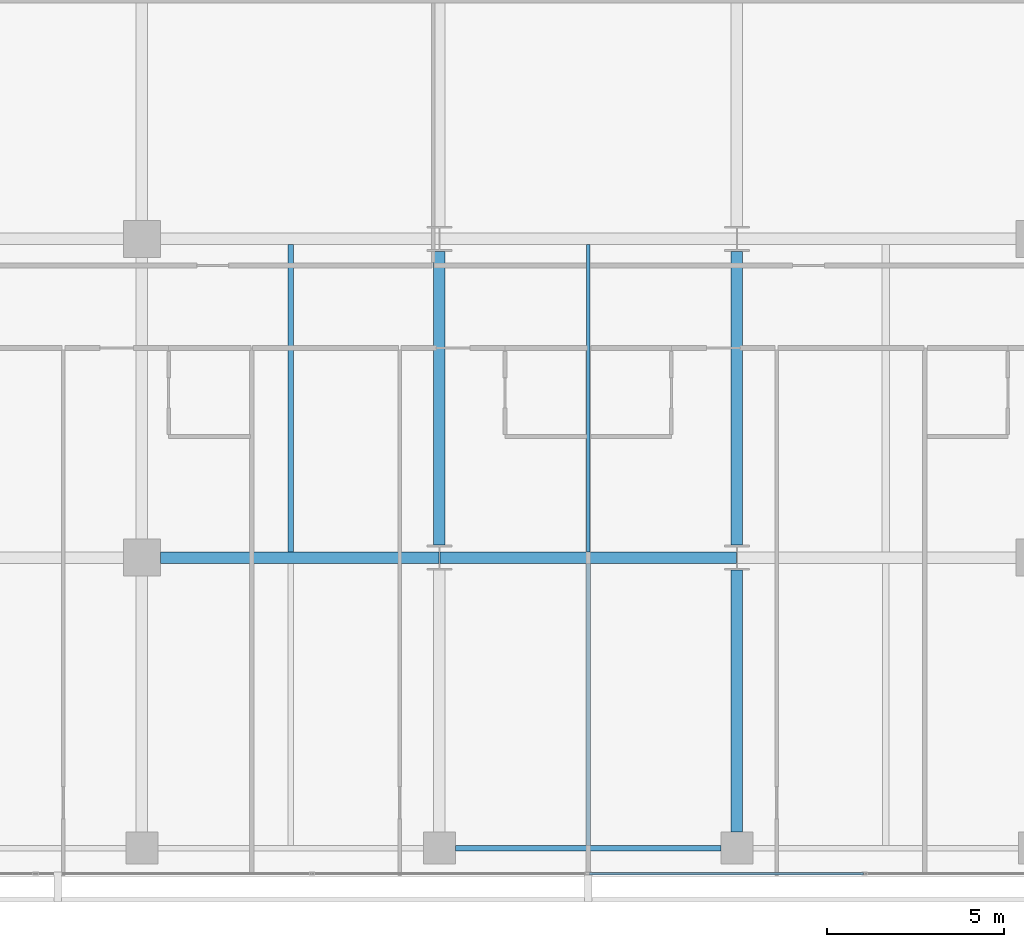
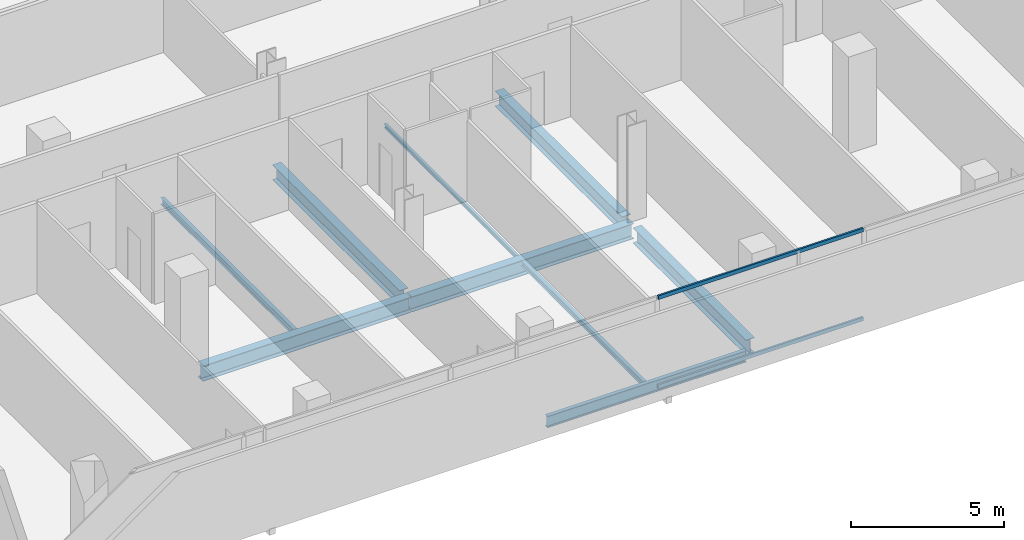
# One storey, part 9 of 40: 9 beams, 2 members, 1 element without a shape of its own.
"""IFC4 building model written with IfcOpenShell, lengths in metres."""

import ifcopenshell
import ifcopenshell.guid

model = None  # the IFC model being written
_history = None  # IfcOwnerHistory: only IFC2X3 demands one
_inside = {}  # id of a spatial element -> (the spatial element, [elements in it])
_under = {}  # id of a project, library or spatial element -> (it, [spatial elements below it])
_declared = {}  # id of a project -> (the project, [libraries it declares])
_typed = {}  # id of a type object -> (the type object, [elements of that type])
_made_of = {}  # id of a material, layer set ... -> (it, [elements and type objects made of it])


def new_model(schema):
    """Start an empty IFC model of exactly this schema.

    Asked for "IFC4X3", IfcOpenShell would pick the latest addendum, in which some entities
    have other attributes; the version numbers below select the first issue.
    IFC2X3 requires an IfcOwnerHistory on every rooted entity: one is made here for all.
    """
    global model, _history
    if schema == "IFC4X3":
        model = ifcopenshell.file(schema_version=(4, 3, 0, 0))
    else:
        model = ifcopenshell.file(schema=schema)
    _inside.clear()
    _under.clear()
    _declared.clear()
    _typed.clear()
    _made_of.clear()
    _history = None
    if model.schema == "IFC2X3":
        org = make("IfcOrganization", Name="unknown")
        user = make(
            "IfcPersonAndOrganization",
            ThePerson=make("IfcPerson", FamilyName="unknown"),
            TheOrganization=org,
        )
        app = make(
            "IfcApplication",
            ApplicationDeveloper=org,
            Version="unknown",
            ApplicationFullName="unknown",
            ApplicationIdentifier="unknown",
        )
        _history = make(
            "IfcOwnerHistory",
            OwningUser=user,
            OwningApplication=app,
            ChangeAction="ADDED",
            CreationDate=0,
        )
    return model


def make(cls, **values):
    """One entity of the class cls with the attributes given. An attribute that is None is left unset."""
    return model.create_entity(
        cls, **{name: value for name, value in values.items() if value is not None}
    )


def rooted(cls, **values):
    """An entity with a GlobalId (a new one), such as an element, a storey or a relation."""
    return make(cls, GlobalId=ifcopenshell.guid.new(), OwnerHistory=_history, **values)


def si_unit(unit_type, name, prefix=None):
    """IfcSIUnit, for example si_unit("LENGTHUNIT", "METRE", prefix="MILLI")."""
    return make("IfcSIUnit", UnitType=unit_type, Prefix=prefix, Name=name)


def assignment(units):
    """IfcUnitAssignment: the units of a project."""
    return None if units is None else make("IfcUnitAssignment", Units=units)


def point(xyz):
    """IfcCartesianPoint."""
    return None if xyz is None else make("IfcCartesianPoint", Coordinates=xyz)


def direction(xyz):
    """IfcDirection."""
    return None if xyz is None else make("IfcDirection", DirectionRatios=xyz)


def frame(location, z_axis=None, x_axis=None):
    """IfcAxis2Placement3D, a coordinate frame: its origin and axes. An axis left out is left unset."""
    return make(
        "IfcAxis2Placement3D",
        Location=point(location),
        Axis=direction(z_axis),
        RefDirection=direction(x_axis),
    )


def frame_2d(location, x_axis=None):
    """IfcAxis2Placement2D, a coordinate frame in the plane: its origin and x axis."""
    return make(
        "IfcAxis2Placement2D", Location=point(location), RefDirection=direction(x_axis)
    )


def origin():
    """The frame at (0, 0, 0) with its axes left unset."""
    return frame((0.0, 0.0, 0.0))


def origin_2d():
    """The frame at (0, 0) in the plane with its x axis left unset."""
    return frame_2d((0.0, 0.0))


def place(relative_to, where):
    """IfcLocalPlacement: puts the frame where relative to a parent placement (None: the world)."""
    return make(
        "IfcLocalPlacement", PlacementRelTo=relative_to, RelativePlacement=where
    )


def context(
    kind, dimensions, precision=None, world=None, true_north=None, identifier=None
):
    """IfcGeometricRepresentationContext, for example the 3D "Model" context."""
    return make(
        "IfcGeometricRepresentationContext",
        ContextIdentifier=identifier,
        ContextType=kind,
        CoordinateSpaceDimension=dimensions,
        Precision=precision,
        WorldCoordinateSystem=world,
        TrueNorth=true_north,
    )


def subcontext(parent, identifier, kind, view, scale=None):
    """IfcGeometricRepresentationSubContext, for example "Body" below "Model"."""
    return make(
        "IfcGeometricRepresentationSubContext",
        ContextIdentifier=identifier,
        ContextType=kind,
        ParentContext=parent,
        TargetScale=scale,
        TargetView=view,
    )


def project(units=None, contexts=None):
    """IfcProject with its units and contexts."""
    return rooted(
        "IfcProject",
        Name="project",
        RepresentationContexts=contexts,
        UnitsInContext=assignment(units),
    )


def spatial(cls, under=None, at=None, **own):
    """A site, building, storey or space (cls), placed at a placement, below another one or the project."""
    s = rooted(cls, ObjectPlacement=at, **own)
    if under is not None:
        _under.setdefault(under.id(), (under, []))[1].append(s)
    return s


def profile(cls, at=None, kind="AREA", **sizes):
    """A parametric profile (cls). Its sizes go by their IFC names, for example OverallWidth=200.0."""
    return make(cls, ProfileType=kind, Position=at, **sizes)


def hollow_rectangle(**sizes):
    """IfcRectangleHollowProfileDef."""
    return profile("IfcRectangleHollowProfileDef", **sizes)


def i_section(**sizes):
    """IfcIShapeProfileDef."""
    return profile("IfcIShapeProfileDef", **sizes)


def extrude(swept, where, along, depth):
    """IfcExtrudedAreaSolid: the profile swept, set in the frame where, extruded along a direction by depth."""
    return make(
        "IfcExtrudedAreaSolid",
        SweptArea=swept,
        Position=where,
        ExtrudedDirection=direction(along),
        Depth=depth,
    )


def shape(context_of_items, identifier, shape_type, items):
    """IfcShapeRepresentation: the items that make up one representation, for example the "Body"."""
    return make(
        "IfcShapeRepresentation",
        ContextOfItems=context_of_items,
        RepresentationIdentifier=identifier,
        RepresentationType=shape_type,
        Items=items,
    )


def material(Name=None, Category=None):
    """IfcMaterial."""
    return make("IfcMaterial", Name=Name, Category=Category)


def layer(
    of_material, thickness, ventilated=None, Name=None, Category=None, Priority=None
):
    """IfcMaterialLayer: one layer of a wall or slab, of a material (None: an air gap)."""
    return make(
        "IfcMaterialLayer",
        Material=of_material,
        LayerThickness=thickness,
        IsVentilated=ventilated,
        Name=Name,
        Category=Category,
        Priority=Priority,
    )


def layer_set(layers, Name=None):
    """IfcMaterialLayerSet."""
    return make("IfcMaterialLayerSet", MaterialLayers=layers, LayerSetName=Name)


def material_profile(
    of_material, cross_section, Name=None, Category=None, Priority=None
):
    """IfcMaterialProfile: a cross section and its material."""
    return make(
        "IfcMaterialProfile",
        Name=Name,
        Material=of_material,
        Profile=cross_section,
        Priority=Priority,
        Category=Category,
    )


def profile_set(profiles, Name=None, composite=None):
    """IfcMaterialProfileSet."""
    return make(
        "IfcMaterialProfileSet",
        Name=Name,
        MaterialProfiles=profiles,
        CompositeProfile=composite,
    )


def made_of(thing, what):
    """Note that an element or type object is made of a material, layer set ...; save() writes the relation."""
    if what is not None:
        _made_of.setdefault(what.id(), (what, []))[1].append(thing)
    return thing


def type_object(cls, material=None, **own):
    """A type object (cls), such as IfcWallType, which elements share."""
    return made_of(rooted(cls, **own), material)


def element(
    cls,
    number,
    at=None,
    inside=None,
    cuts=None,
    type_object=None,
    material=None,
    context=None,
    identifier="Body",
    shape_type=None,
    held_by="IfcProductDefinitionShape",
    body=None,
    shapes=None,
    **own,
):
    """One element of the class cls, such as IfcWall. Its Tag is "e" and its number.

    at: its placement. inside: the storey or other place that contains it. cuts: it is an
    opening in that element (IfcRelVoidsElement). A single representation is given by context,
    identifier, shape_type and body (its items); several are given by shapes. held_by: the class
    of the entity that holds the representations. save() writes the other relations.
    """
    e = rooted(cls, Tag="e%d" % number, ObjectPlacement=at, **own)
    if body is not None:
        shapes = [shape(context, identifier, shape_type, body)]
    if shapes is not None:
        e.Representation = make(held_by, Representations=shapes)
    if inside is not None:
        _inside.setdefault(inside.id(), (inside, []))[1].append(e)
    if cuts is not None:
        rooted(
            "IfcRelVoidsElement", RelatingBuildingElement=cuts, RelatedOpeningElement=e
        )
    if type_object is not None:
        _typed.setdefault(type_object.id(), (type_object, []))[1].append(e)
    return made_of(e, material)


def aggregate(whole, parts):
    """IfcRelAggregates: a whole, such as a stair, and the parts it consists of."""
    return rooted("IfcRelAggregates", RelatingObject=whole, RelatedObjects=parts)


def save(model, path):
    """Write the relations noted so far, then the file.

    IfcRelAggregates (storeys below a building ...), IfcRelContainedInSpatialStructure (elements
    in a storey), IfcRelDefinesByType, IfcRelAssociatesMaterial and IfcRelDeclares: one each for
    every whole, place, type object, material and project.
    """
    for whole, parts in _under.values():
        aggregate(whole, parts)
    for where, things in _inside.values():
        rooted(
            "IfcRelContainedInSpatialStructure",
            RelatedElements=things,
            RelatingStructure=where,
        )
    for kind, things in _typed.values():
        rooted("IfcRelDefinesByType", RelatedObjects=things, RelatingType=kind)
    for what, things in _made_of.values():
        rooted("IfcRelAssociatesMaterial", RelatedObjects=things, RelatingMaterial=what)
    for by, libraries in _declared.values():
        rooted("IfcRelDeclares", RelatingContext=by, RelatedDefinitions=libraries)
    model.write(path)


model = new_model("IFC4")

# Units and contexts
model_context = context("Model", 3, precision=1e-05, world=origin(), true_north=direction((0.0, 1.0)))
body_context = subcontext(model_context, "Body", "Model", "MODEL_VIEW")
ifc_project = project(units=[si_unit("LENGTHUNIT", "METRE"), si_unit("AREAUNIT", "SQUARE_METRE"), si_unit("VOLUMEUNIT", "CUBIC_METRE"), si_unit("PLANEANGLEUNIT", "RADIAN"), si_unit("MASSUNIT", "GRAM", prefix="KILO")], contexts=[model_context])

# Site, building, storey
site_placement = place(None, origin())
site = spatial("IfcSite", under=ifc_project, at=site_placement, CompositionType="ELEMENT")
building_placement = place(site_placement, origin())
building = spatial("IfcBuilding", under=site, at=building_placement, Name="Maruvema Waterfront Hotel and Observation Tower", CompositionType="ELEMENT")
storey_placement = place(building_placement, frame((0.0, 0.0, 107.800048828125)))
storey = spatial("IfcBuildingStorey", under=building, at=storey_placement, Name="L26", CompositionType="ELEMENT", Elevation=107.800048828125)

# Curtain wall, members
ifc_material_1 = material(Name="Anodised bronze aluminium and solar-control low-E IGU", Category="aluminium")
ifc_layer = layer(ifc_material_1, 0.159912109375, Name="Zone 1 Bronze Inner Thermal Curtain Wall System CW-02")
ifc_layer_set = layer_set([ifc_layer], Name="Anodised bronze aluminium and solar-control low-E IGU")
curtain_wall_type = type_object("IfcCurtainWallType", Name="Zone 1 Bronze Inner Thermal Curtain Wall System CW-02", PredefinedType="USERDEFINED", material=ifc_layer_set)
curtain_wall_placement = place(storey_placement, origin())
curtain_wall = element("IfcCurtainWall", 1, at=curtain_wall_placement, inside=storey, type_object=curtain_wall_type, Name="L26 Curtain Wall CW-L26-S", ObjectType="UNITISED CURTAIN WALL", PredefinedType="USERDEFINED")
ifc_material_2 = material(Name="Anodised architectural bronze aluminium", Category="aluminium")
ifc_material_profile_1 = material_profile(ifc_material_2, hollow_rectangle(XDim=0.070068359375, YDim=0.14990234375, WallThickness=0.00390625, at=origin_2d()), Name="ALU-T70x150")
ifc_profile_set_1 = profile_set([ifc_material_profile_1], Name="Anodised architectural bronze aluminium")
member_type = type_object("IfcMemberType", Name="Curtain Wall Horizontal Transom ALU-T70x150", PredefinedType="USERDEFINED", material=ifc_profile_set_1)
member_1_placement = place(storey_placement, frame((37.830078125, 0.080078125, 0.030029296875), z_axis=(1.0, 0.0, 0.0), x_axis=(0.0, 1.0, 0.0)))
member_1 = element("IfcMember", 2, at=member_1_placement, type_object=member_type, Name="CW-02 transom 4.1", ObjectType="TRANSOM", PredefinedType="USERDEFINED", context=body_context, shape_type="SweptSolid", body=[
    extrude(hollow_rectangle(XDim=0.070068359375, YDim=0.14990234375, WallThickness=0.00390625, at=origin_2d()), origin(), (0.0, 0.0, 1.0), 7.739990234375),
])
member_2_placement = place(storey_placement, frame((37.830078125, 0.080078125, 3.579833984375), z_axis=(1.0, 0.0, 0.0), x_axis=(0.0, 1.0, 0.0)))
member_2 = element("IfcMember", 3, at=member_2_placement, type_object=member_type, Name="CW-02 transom 4.2", ObjectType="TRANSOM", PredefinedType="USERDEFINED", context=body_context, shape_type="SweptSolid", body=[
    extrude(hollow_rectangle(XDim=0.070068359375, YDim=0.14990234375, WallThickness=0.00390625, at=origin_2d()), origin(), (0.0, 0.0, 1.0), 7.739990234375),
])
aggregate(curtain_wall, [member_1, member_2])

# Beams
ifc_material_3 = material(Name="Steel ASTM A572 Grade 50", Category="steel")
ifc_material_profile_2 = material_profile(ifc_material_3, i_section(OverallWidth=0.153076171875, OverallDepth=0.455078125, WebThickness=0.008056640625, FlangeThickness=0.01318359375, FilletRadius=0.014892578125, at=origin_2d()), Name="W460x60.0")
ifc_profile_set_2 = profile_set([ifc_material_profile_2], Name="Steel ASTM A572 Grade 50")
beam_type_1 = type_object("IfcBeamType", Name="Perimeter Spandrel Beam W460x60.0", PredefinedType="SPANDREL", material=ifc_profile_set_2)
beam_1_placement = place(storey_placement, frame((34.050048828125, 0.800048828125, -0.467529296875), z_axis=(1.0, 0.0, 0.0), x_axis=(0.0, 1.0, 0.0)))
element("IfcBeam", 4, at=beam_1_placement, inside=storey, type_object=beam_type_1, Name="L26 Floor Girder EW-03", PredefinedType="SPANDREL", context=body_context, shape_type="SweptSolid", body=[
    extrude(i_section(OverallWidth=0.153076171875, OverallDepth=0.455078125, WebThickness=0.008056640625, FlangeThickness=0.01318359375, FilletRadius=0.014892578125, at=origin_2d()), origin(), (0.0, 0.0, 1.0), 7.5),
])
ifc_material_4 = material(Name="Steel ASTM A572 Grade 50", Category="steel")
ifc_material_profile_3 = material_profile(ifc_material_4, i_section(OverallWidth=0.323974609375, OverallDepth=0.611083984375, WebThickness=0.0126953125, FlangeThickness=0.01904296875, FilletRadius=0.01806640625, at=origin_2d()), Name="W610x155.0")
ifc_profile_set_3 = profile_set([ifc_material_profile_3], Name="Steel ASTM A572 Grade 50")
beam_type_2 = type_object("IfcBeamType", Name="Primary Floor Girder W610x155.0", PredefinedType="BEAM", material=ifc_profile_set_3)
beam_2_placement = place(storey_placement, frame((25.72509765625, 9.0, -0.545654296875), z_axis=(1.0, 0.0, 0.0), x_axis=(0.0, 1.0, 0.0)))
element("IfcBeam", 5, at=beam_2_placement, inside=storey, type_object=beam_type_2, Name="L26 Floor Girder EW-08", PredefinedType="BEAM", context=body_context, shape_type="SweptSolid", body=[
    extrude(i_section(OverallWidth=0.323974609375, OverallDepth=0.611083984375, WebThickness=0.0126953125, FlangeThickness=0.01904296875, FilletRadius=0.01806640625, at=origin_2d()), origin(), (0.0, 0.0, 1.0), 7.86083984375),
])
beam_3_placement = place(storey_placement, frame((33.614013671875, 9.0, -0.545654296875), z_axis=(1.0, 0.0, 0.0), x_axis=(0.0, 1.0, 0.0)))
element("IfcBeam", 6, at=beam_3_placement, inside=storey, type_object=beam_type_2, Name="L26 Floor Girder EW-09", PredefinedType="BEAM", context=body_context, shape_type="SweptSolid", body=[
    extrude(i_section(OverallWidth=0.323974609375, OverallDepth=0.611083984375, WebThickness=0.0126953125, FlangeThickness=0.01904296875, FilletRadius=0.01806640625, at=origin_2d()), origin(), (0.0, 0.0, 1.0), 8.3720703125),
])
beam_4_placement = place(storey_placement, frame((33.60009765625, 9.35009765625, -0.545654296875), z_axis=(0.0, 1.0, 0.0), x_axis=(-1.0, 0.0, 0.0)))
element("IfcBeam", 7, at=beam_4_placement, inside=storey, type_object=beam_type_2, Name="L26 Floor Girder NS-17", PredefinedType="BEAM", context=body_context, shape_type="SweptSolid", body=[
    extrude(i_section(OverallWidth=0.323974609375, OverallDepth=0.611083984375, WebThickness=0.0126953125, FlangeThickness=0.01904296875, FilletRadius=0.01806640625, at=origin_2d()), origin(), (0.0, 0.0, 1.0), 8.2998046875),
])
beam_5_placement = place(storey_placement, frame((42.0, 1.25, -0.545654296875), z_axis=(0.0, 1.0, 0.0), x_axis=(-1.0, 0.0, 0.0)))
element("IfcBeam", 8, at=beam_5_placement, inside=storey, type_object=beam_type_2, Name="L26 Floor Girder NS-19", PredefinedType="BEAM", context=body_context, shape_type="SweptSolid", body=[
    extrude(i_section(OverallWidth=0.323974609375, OverallDepth=0.611083984375, WebThickness=0.0126953125, FlangeThickness=0.01904296875, FilletRadius=0.01806640625, at=origin_2d()), origin(), (0.0, 0.0, 1.0), 7.39990234375),
])
beam_6_placement = place(storey_placement, frame((42.0, 9.35009765625, -0.545654296875), z_axis=(0.0, 1.0, 0.0), x_axis=(-1.0, 0.0, 0.0)))
element("IfcBeam", 9, at=beam_6_placement, inside=storey, type_object=beam_type_2, Name="L26 Floor Girder NS-20", PredefinedType="BEAM", context=body_context, shape_type="SweptSolid", body=[
    extrude(i_section(OverallWidth=0.323974609375, OverallDepth=0.611083984375, WebThickness=0.0126953125, FlangeThickness=0.01904296875, FilletRadius=0.01806640625, at=origin_2d()), origin(), (0.0, 0.0, 1.0), 8.2998046875),
])
ifc_material_5 = material(Name="Steel ASTM A572 Grade 50", Category="steel")
ifc_material_profile_4 = material_profile(ifc_material_5, i_section(OverallWidth=0.10009765625, OverallDepth=0.153076171875, WebThickness=0.005859375, FlangeThickness=0.007080078125, FilletRadius=0.008056640625, at=origin_2d()), Name="W150x18.0")
ifc_profile_set_4 = profile_set([ifc_material_profile_4], Name="Steel ASTM A572 Grade 50")
beam_type_3 = type_object("IfcBeamType", Name="Secondary Floor Joist W150x18.0", PredefinedType="JOIST", material=ifc_profile_set_4)
beam_7_placement = place(storey_placement, frame((37.800048828125, 9.162109375, -0.316650390625), z_axis=(0.0, 1.0, 0.0), x_axis=(-1.0, 0.0, 0.0)))
element("IfcBeam", 10, at=beam_7_placement, inside=storey, type_object=beam_type_3, Name="L26 Secondary Floor Joist JS-13", PredefinedType="JOIST", context=body_context, shape_type="SweptSolid", body=[
    extrude(i_section(OverallWidth=0.10009765625, OverallDepth=0.153076171875, WebThickness=0.005859375, FlangeThickness=0.007080078125, FilletRadius=0.008056640625, at=origin_2d()), origin(), (0.0, 0.0, 1.0), 8.67578125),
])
ifc_material_6 = material(Name="Steel ASTM A572 Grade 50", Category="steel")
ifc_material_profile_5 = material_profile(ifc_material_6, i_section(OverallWidth=0.133056640625, OverallDepth=0.20703125, WebThickness=0.005859375, FlangeThickness=0.00830078125, FilletRadius=0.010009765625, at=origin_2d()), Name="W200x26.6")
ifc_profile_set_5 = profile_set([ifc_material_profile_5], Name="Steel ASTM A572 Grade 50")
beam_type_4 = type_object("IfcBeamType", Name="Secondary Floor Joist W200x26.6", PredefinedType="JOIST", material=ifc_profile_set_5)
beam_8_placement = place(storey_placement, frame((37.800048828125, 0.87646484375, -0.343505859375), z_axis=(0.0, 1.0, 0.0), x_axis=(-1.0, 0.0, 0.0)))
element("IfcBeam", 11, at=beam_8_placement, inside=storey, type_object=beam_type_4, Name="L26 Secondary Floor Joist JS-12", PredefinedType="JOIST", context=body_context, shape_type="SweptSolid", body=[
    extrude(i_section(OverallWidth=0.133056640625, OverallDepth=0.20703125, WebThickness=0.005859375, FlangeThickness=0.00830078125, FilletRadius=0.010009765625, at=origin_2d()), origin(), (0.0, 0.0, 1.0), 7.96142578125),
])
ifc_material_7 = material(Name="Steel ASTM A572 Grade 50", Category="steel")
ifc_material_profile_6 = material_profile(ifc_material_7, i_section(OverallWidth=0.14599609375, OverallDepth=0.258056640625, WebThickness=0.006103515625, FlangeThickness=0.009033203125, FilletRadius=0.012939453125, at=origin_2d()), Name="W250x32.7")
ifc_profile_set_6 = profile_set([ifc_material_profile_6], Name="Steel ASTM A572 Grade 50")
beam_type_5 = type_object("IfcBeamType", Name="Secondary Floor Joist W250x32.7", PredefinedType="JOIST", material=ifc_profile_set_6)
beam_9_placement = place(storey_placement, frame((29.39990234375, 9.162109375, -0.369140625), z_axis=(0.0, 1.0, 0.0), x_axis=(-1.0, 0.0, 0.0)))
element("IfcBeam", 12, at=beam_9_placement, inside=storey, type_object=beam_type_5, Name="L26 Secondary Floor Joist JS-11", PredefinedType="JOIST", context=body_context, shape_type="SweptSolid", body=[
    extrude(i_section(OverallWidth=0.14599609375, OverallDepth=0.258056640625, WebThickness=0.006103515625, FlangeThickness=0.009033203125, FilletRadius=0.012939453125, at=origin_2d()), origin(), (0.0, 0.0, 1.0), 8.67578125),
])

save(model, "model.ifc")
